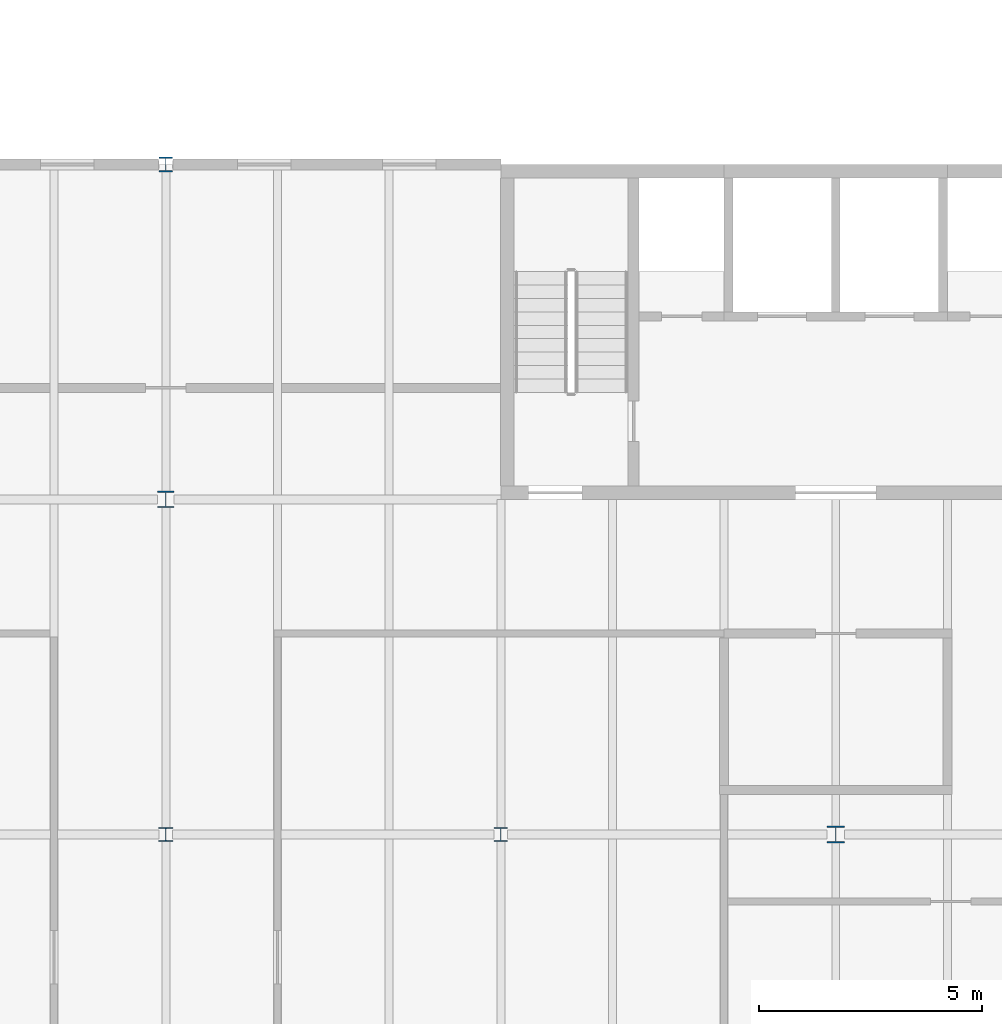
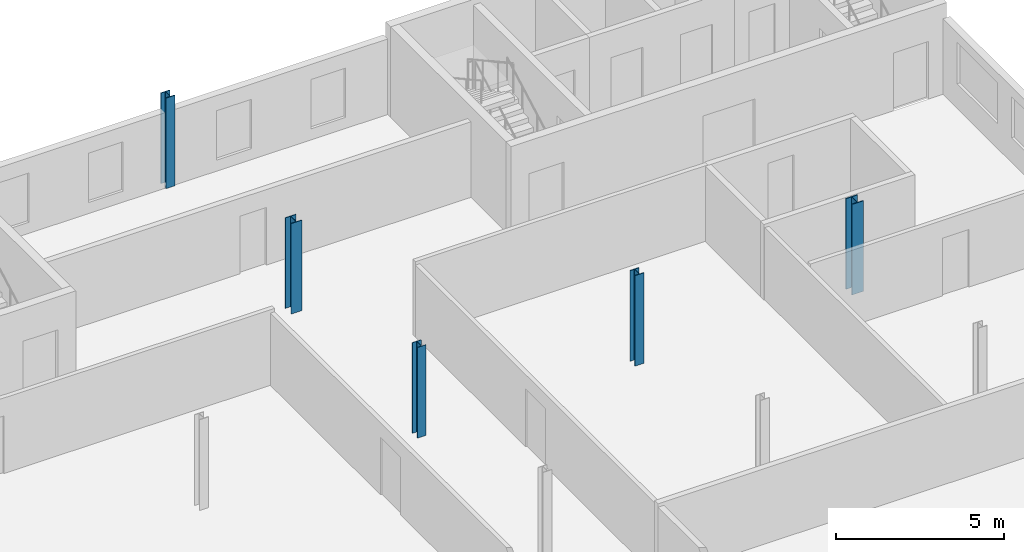
# One storey, part 8 of 199: 5 columns.
"""IFC4 building model written with IfcOpenShell, lengths in metres."""

from ifc_helpers import new_model, si_unit, direction, frame, origin, origin_2d, place, context, subcontext, project, spatial, i_section, extrude, material, material_profile, profile_set, type_object, element, save


model = new_model("IFC4")

# Units and contexts
model_context = context("Model", 3, precision=1e-05, world=origin(), true_north=direction((0.0, 1.0)))
body_context = subcontext(model_context, "Body", "Model", "MODEL_VIEW")
ifc_project = project(units=[si_unit("LENGTHUNIT", "METRE"), si_unit("AREAUNIT", "SQUARE_METRE"), si_unit("VOLUMEUNIT", "CUBIC_METRE"), si_unit("PLANEANGLEUNIT", "RADIAN"), si_unit("MASSUNIT", "GRAM", prefix="KILO")], contexts=[model_context])

# Site, building, storey
site_placement = place(None, origin())
site = spatial("IfcSite", under=ifc_project, at=site_placement, CompositionType="ELEMENT")
building_placement = place(site_placement, origin())
building = spatial("IfcBuilding", under=site, at=building_placement, Name="Parallax Yard Mobility Hub", CompositionType="ELEMENT")
storey_placement = place(building_placement, frame((0.0, 0.0, 9.89990234375)))
storey = spatial("IfcBuildingStorey", under=building, at=storey_placement, Name="L03", CompositionType="ELEMENT", Elevation=9.89990234375)

# Columns
ifc_material = material(Name="Steel ASTM A992", Category="steel")
ifc_material_profile_1 = material_profile(ifc_material, i_section(OverallWidth=0.306884765625, OverallDepth=0.318115234375, WebThickness=0.01318359375, FlangeThickness=0.0205078125, FilletRadius=0.01513671875, at=origin_2d()), Name="W310x129")
ifc_profile_set_1 = profile_set([ifc_material_profile_1], Name="Steel ASTM A992")
column_type_1 = type_object("IfcColumnType", Name="W310x129 column", PredefinedType="COLUMN", material=ifc_profile_set_1)
column_1_placement = place(storey_placement, frame((127.5, 37.5, 0.0), z_axis=(0.0, 0.0, 1.0), x_axis=(1.0, 0.0, 0.0)))
element("IfcColumn", 1, at=column_1_placement, inside=storey, type_object=column_type_1, Name="Column C3 level L03 at F/18 of mobility service centre and workshops", PredefinedType="COLUMN", context=body_context, shape_type="SweptSolid", body=[
    extrude(i_section(OverallWidth=0.306884765625, OverallDepth=0.318115234375, WebThickness=0.01318359375, FlangeThickness=0.0205078125, FilletRadius=0.01513671875, at=origin_2d()), origin(), (0.0, 0.0, 1.0), 3.300048828125),
])
ifc_material_profile_2 = material_profile(ifc_material, i_section(OverallWidth=0.31005859375, OverallDepth=0.327880859375, WebThickness=0.015380859375, FlangeThickness=0.025146484375, FilletRadius=0.015380859375, at=origin_2d()), Name="W310x158")
ifc_profile_set_2 = profile_set([ifc_material_profile_2], Name="Steel ASTM A992")
column_type_2 = type_object("IfcColumnType", Name="W310x158 column", PredefinedType="COLUMN", material=ifc_profile_set_2)
column_2_placement = place(storey_placement, frame((120.0, 52.5, 0.0), z_axis=(0.0, 0.0, 1.0), x_axis=(1.0, 0.0, 0.0)))
element("IfcColumn", 2, at=column_2_placement, inside=storey, type_object=column_type_2, Name="Column C6 level L03 at H/17 of mobility service centre and workshops", PredefinedType="COLUMN", context=body_context, shape_type="SweptSolid", body=[
    extrude(i_section(OverallWidth=0.31005859375, OverallDepth=0.327880859375, WebThickness=0.015380859375, FlangeThickness=0.025146484375, FilletRadius=0.015380859375, at=origin_2d()), origin(), (0.0, 0.0, 1.0), 3.300048828125),
])
ifc_material_profile_3 = material_profile(ifc_material, i_section(OverallWidth=0.304931640625, OverallDepth=0.306884765625, WebThickness=0.010009765625, FlangeThickness=0.015380859375, FilletRadius=0.01513671875, at=origin_2d()), Name="W310x97")
ifc_profile_set_3 = profile_set([ifc_material_profile_3], Name="Steel ASTM A992")
column_type_3 = type_object("IfcColumnType", Name="W310x97 column", PredefinedType="COLUMN", material=ifc_profile_set_3)
column_3_placement = place(storey_placement, frame((120.0, 37.5, 0.0), z_axis=(0.0, 0.0, 1.0), x_axis=(1.0, 0.0, 0.0)))
element("IfcColumn", 3, at=column_3_placement, inside=storey, type_object=column_type_3, Name="Column C1 level L03 at F/17 of mobility service centre and workshops", PredefinedType="COLUMN", context=body_context, shape_type="SweptSolid", body=[
    extrude(i_section(OverallWidth=0.304931640625, OverallDepth=0.306884765625, WebThickness=0.010009765625, FlangeThickness=0.015380859375, FilletRadius=0.01513671875, at=origin_2d()), origin(), (0.0, 0.0, 1.0), 3.300048828125),
])
ifc_material_profile_4 = material_profile(ifc_material, i_section(OverallWidth=0.373046875, OverallDepth=0.367919921875, WebThickness=0.014892578125, FlangeThickness=0.02392578125, FilletRadius=0.01513671875, at=origin_2d()), Name="W360x179")
ifc_profile_set_4 = profile_set([ifc_material_profile_4], Name="Steel ASTM A992")
column_type_4 = type_object("IfcColumnType", Name="W360x179 column", PredefinedType="COLUMN", material=ifc_profile_set_4)
column_4_placement = place(storey_placement, frame((120.0, 45.0, 0.0), z_axis=(0.0, 0.0, 1.0), x_axis=(1.0, 0.0, 0.0)))
element("IfcColumn", 4, at=column_4_placement, inside=storey, type_object=column_type_4, Name="Column C7 level L03 at G/17 of mobility service centre and workshops", PredefinedType="COLUMN", context=body_context, shape_type="SweptSolid", body=[
    extrude(i_section(OverallWidth=0.373046875, OverallDepth=0.367919921875, WebThickness=0.014892578125, FlangeThickness=0.02392578125, FilletRadius=0.01513671875, at=origin_2d()), origin(), (0.0, 0.0, 1.0), 3.300048828125),
])
ifc_material_profile_5 = material_profile(ifc_material, i_section(OverallWidth=0.39404296875, OverallDepth=0.3759765625, WebThickness=0.017333984375, FlangeThickness=0.027587890625, FilletRadius=0.01513671875, at=origin_2d()), Name="W360x216")
ifc_profile_set_5 = profile_set([ifc_material_profile_5], Name="Steel ASTM A992")
column_type_5 = type_object("IfcColumnType", Name="W360x216 column", PredefinedType="COLUMN", material=ifc_profile_set_5)
column_5_placement = place(storey_placement, frame((135.0, 37.5, 0.0), z_axis=(0.0, 0.0, 1.0), x_axis=(1.0, 0.0, 0.0)))
element("IfcColumn", 5, at=column_5_placement, inside=storey, type_object=column_type_5, Name="Column C9 level L03 at F/19 of mobility service centre and workshops", PredefinedType="COLUMN", context=body_context, shape_type="SweptSolid", body=[
    extrude(i_section(OverallWidth=0.39404296875, OverallDepth=0.3759765625, WebThickness=0.017333984375, FlangeThickness=0.027587890625, FilletRadius=0.01513671875, at=origin_2d()), origin(), (0.0, 0.0, 1.0), 3.300048828125),
])

save(model, "model.ifc")
